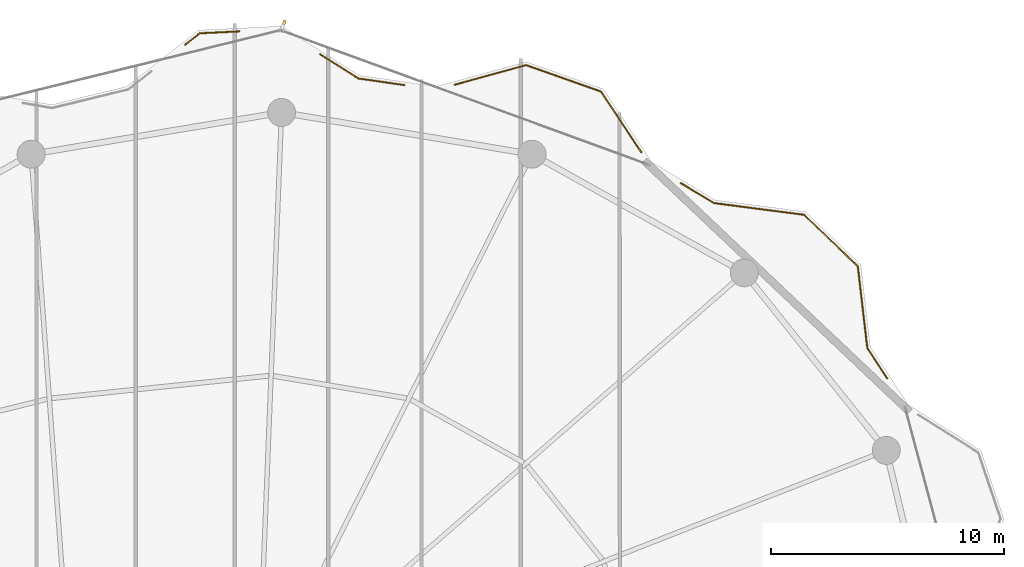
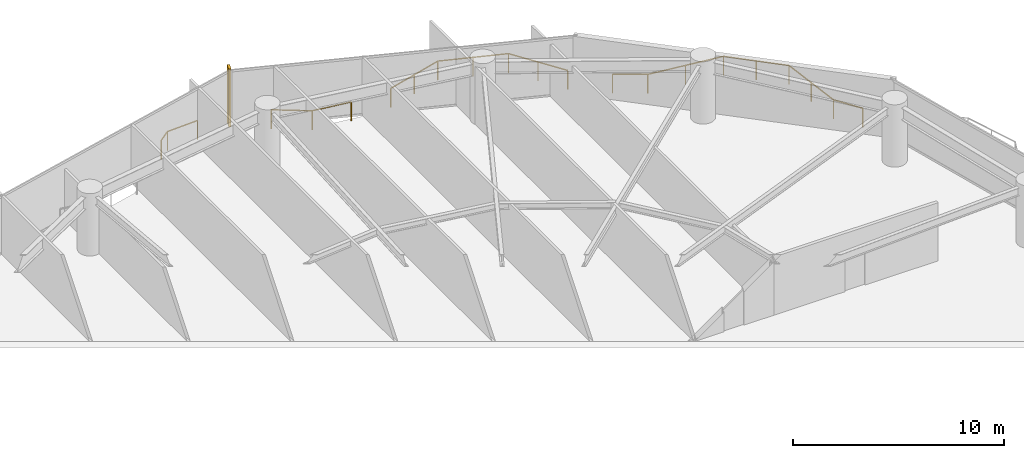
# One storey, part 28 of 28: 4 railings, 1 shading device.
"""IFC4 building model written with IfcOpenShell, lengths in metres."""

from ifc_helpers import new_model, si_unit, direction, frame, origin, origin_2d, place, context, subcontext, project, spatial, rectangle, extrude, material, type_object, element, save


model = new_model("IFC4")

# Units and contexts
model_context = context("Model", 3, precision=1e-05, world=origin(), true_north=direction((0.0, 1.0)))
body_context = subcontext(model_context, "Body", "Model", "MODEL_VIEW")
ifc_project = project(units=[si_unit("LENGTHUNIT", "METRE"), si_unit("AREAUNIT", "SQUARE_METRE"), si_unit("VOLUMEUNIT", "CUBIC_METRE"), si_unit("PLANEANGLEUNIT", "RADIAN"), si_unit("MASSUNIT", "GRAM", prefix="KILO")], contexts=[model_context])

# Site, building, storey
site_placement = place(None, origin())
site = spatial("IfcSite", under=ifc_project, at=site_placement, CompositionType="ELEMENT")
building_placement = place(site_placement, origin())
building = spatial("IfcBuilding", under=site, at=building_placement, Name="Kazevale Care Tower and Concert Hall", CompositionType="ELEMENT")
storey_placement = place(building_placement, frame((0.0, 0.0, 142.199951171875)))
storey = spatial("IfcBuildingStorey", under=building, at=storey_placement, Name="L37", CompositionType="ELEMENT", Elevation=142.199951171875)

# Railings
ifc_material_1 = material(Name="Anodised Bronze Aluminium and Laminated Glass", Category="aluminium")
railing_type = type_object("IfcRailingType", Name="Balcony and Terrace Balustrade 1120", PredefinedType="BALUSTRADE", material=ifc_material_1)
railing_1_placement = place(storey_placement, frame((40.875, 64.35400390625, 0.0)))
element("IfcRailing", 1, at=railing_1_placement, inside=storey, type_object=railing_type, Name="rail:L37:perim:6", PredefinedType="BALUSTRADE", context=body_context, shape_type="SweptSolid", body=[
    extrude(rectangle(XDim=0.048095703125, YDim=0.048095703125, at=origin_2d()), frame((0.0, 0.0, 1.09619140625), z_axis=(0.786296888073, 0.61784885191, 0.0), x_axis=(-0.61784885191, 0.786296888073, 0.0)), (0.0, 0.0, 1.0), 0.789794921875),
    extrude(rectangle(XDim=0.048095703125, YDim=0.048095703125, at=origin_2d()), frame((0.62109375, 0.488037109375, 1.09619140625), z_axis=(0.998846104171, 0.04802562007, 0.0), x_axis=(-0.04802562007, 0.998846104171, 0.0)), (0.0, 0.0, 1.0), 1.687744140625),
    extrude(rectangle(XDim=0.0419921875, YDim=0.0419921875, at=origin_2d()), origin(), (0.0, 0.0, 1.0), 1.072021484375),
    extrude(rectangle(XDim=0.0419921875, YDim=0.0419921875, at=origin_2d()), frame((0.62109375, 0.488037109375, 0.0)), (0.0, 0.0, 1.0), 1.072021484375),
    extrude(rectangle(XDim=0.0419921875, YDim=0.0419921875, at=origin_2d()), frame((2.306884765625, 0.569091796875, 0.0)), (0.0, 0.0, 1.0), 1.072021484375),
])
railing_2_placement = place(storey_placement, frame((46.64794921875, 63.943115234375, 0.0)))
element("IfcRailing", 2, at=railing_2_placement, inside=storey, type_object=railing_type, Name="rail:L37:perim:7", PredefinedType="BALUSTRADE", context=body_context, shape_type="SweptSolid", body=[
    extrude(rectangle(XDim=0.048095703125, YDim=0.048095703125, at=origin_2d()), frame((0.0, 0.0, 1.09619140625), z_axis=(0.845285408951, -0.534315054452, 0.0), x_axis=(0.534315054452, 0.845285408951, 0.0)), (0.0, 0.0, 1.0), 1.939208984375),
    extrude(rectangle(XDim=0.048095703125, YDim=0.048095703125, at=origin_2d()), frame((1.63916015625, -1.0361328125, 1.09619140625), z_axis=(0.989851165492, -0.142107952534, 0.0), x_axis=(0.142107952534, 0.989851165492, 0.0)), (0.0, 0.0, 1.0), 1.9912109375),
    extrude(rectangle(XDim=0.0419921875, YDim=0.0419921875, at=origin_2d()), origin(), (0.0, 0.0, 1.0), 1.072021484375),
    extrude(rectangle(XDim=0.0419921875, YDim=0.0419921875, at=origin_2d()), frame((1.63916015625, -1.0361328125, 0.0)), (0.0, 0.0, 1.0), 1.072021484375),
    extrude(rectangle(XDim=0.0419921875, YDim=0.0419921875, at=origin_2d()), frame((3.610107421875, -1.319091796875, 0.0)), (0.0, 0.0, 1.0), 1.072021484375),
])
railing_3_placement = place(storey_placement, frame((52.426025390625, 62.64111328125, 0.0)))
element("IfcRailing", 3, at=railing_3_placement, inside=storey, type_object=railing_type, Name="rail:L37:perim:8", PredefinedType="BALUSTRADE", context=body_context, shape_type="SweptSolid", body=[
    extrude(rectangle(XDim=0.048095703125, YDim=0.048095703125, at=origin_2d()), frame((0.0, 0.0, 1.09619140625), z_axis=(0.964305315259, 0.264792860484, 0.0), x_axis=(-0.264792860484, 0.964305315259, 0.0)), (0.0, 0.0, 1.0), 3.16796875),
    extrude(rectangle(XDim=0.048095703125, YDim=0.048095703125, at=origin_2d()), frame((3.054931640625, 0.8388671875, 1.09619140625), z_axis=(0.942606504608, -0.333905641567, 0.0), x_axis=(0.333905641567, 0.942606504608, 0.0)), (0.0, 0.0, 1.0), 3.399169921875),
    extrude(rectangle(XDim=0.048095703125, YDim=0.048095703125, at=origin_2d()), frame((6.259033203125, -0.296142578125, 1.09619140625), z_axis=(0.554087210484, -0.832458625505, 0.0), x_axis=(0.832458625505, 0.554087210484, 0.0)), (0.0, 0.0, 1.0), 3.125732421875),
    extrude(rectangle(XDim=0.0419921875, YDim=0.0419921875, at=origin_2d()), origin(), (0.0, 0.0, 1.0), 1.072021484375),
    extrude(rectangle(XDim=0.0419921875, YDim=0.0419921875, at=origin_2d()), frame((1.52734375, 0.41943359375, 0.0)), (0.0, 0.0, 1.0), 1.072021484375),
    extrude(rectangle(XDim=0.0419921875, YDim=0.0419921875, at=origin_2d()), frame((3.054931640625, 0.8388671875, 0.0)), (0.0, 0.0, 1.0), 1.072021484375),
    extrude(rectangle(XDim=0.0419921875, YDim=0.0419921875, at=origin_2d()), frame((4.656982421875, 0.271484375, 0.0)), (0.0, 0.0, 1.0), 1.072021484375),
    extrude(rectangle(XDim=0.0419921875, YDim=0.0419921875, at=origin_2d()), frame((6.259033203125, -0.296142578125, 0.0)), (0.0, 0.0, 1.0), 1.072021484375),
    extrude(rectangle(XDim=0.0419921875, YDim=0.0419921875, at=origin_2d()), frame((7.125, -1.59716796875, 0.0)), (0.0, 0.0, 1.0), 1.072021484375),
    extrude(rectangle(XDim=0.0419921875, YDim=0.0419921875, at=origin_2d()), frame((7.990966796875, -2.898193359375, 0.0)), (0.0, 0.0, 1.0), 1.072021484375),
])
railing_4_placement = place(storey_placement, frame((62.10400390625, 58.425048828125, 0.0)))
element("IfcRailing", 4, at=railing_4_placement, inside=storey, type_object=railing_type, Name="rail:L37:perim:9", PredefinedType="BALUSTRADE", context=body_context, shape_type="SweptSolid", body=[
    extrude(rectangle(XDim=0.048095703125, YDim=0.048095703125, at=origin_2d()), frame((0.0, 0.0, 1.09619140625), z_axis=(0.857286075964, -0.514840348029, 0.0), x_axis=(0.514840348029, 0.857286075964, 0.0)), (0.0, 0.0, 1.0), 1.666748046875),
    extrude(rectangle(XDim=0.048095703125, YDim=0.048095703125, at=origin_2d()), frame((1.428955078125, -0.858154296875, 1.09619140625), z_axis=(0.991624912909, -0.12915119859, 0.0), x_axis=(0.12915119859, 0.991624912909, 0.0)), (0.0, 0.0, 1.0), 3.886474609375),
    extrude(rectangle(XDim=0.048095703125, YDim=0.048095703125, at=origin_2d()), frame((5.282958984375, -1.360107421875, 1.09619140625), z_axis=(0.722483817146, -0.691387831801, 0.0), x_axis=(0.691387831801, 0.722483817146, 0.0)), (0.0, 0.0, 1.0), 3.1875),
    extrude(rectangle(XDim=0.048095703125, YDim=0.048095703125, at=origin_2d()), frame((7.5859375, -3.56396484375, 1.09619140625), z_axis=(0.115399198522, -0.993319195919, 0.0), x_axis=(0.993319195919, 0.115399198522, 0.0)), (0.0, 0.0, 1.0), 3.52685546875),
    extrude(rectangle(XDim=0.048095703125, YDim=0.048095703125, at=origin_2d()), frame((7.992919921875, -7.067138671875, 1.09619140625), z_axis=(0.547143637921, -0.837038732367, 0.0), x_axis=(0.837038732367, 0.547143637921, 0.0)), (0.0, 0.0, 1.0), 1.555419921875),
    extrude(rectangle(XDim=0.0419921875, YDim=0.0419921875, at=origin_2d()), origin(), (0.0, 0.0, 1.0), 1.072021484375),
    extrude(rectangle(XDim=0.0419921875, YDim=0.0419921875, at=origin_2d()), frame((1.428955078125, -0.858154296875, 0.0)), (0.0, 0.0, 1.0), 1.072021484375),
    extrude(rectangle(XDim=0.0419921875, YDim=0.0419921875, at=origin_2d()), frame((3.35595703125, -1.109130859375, 0.0)), (0.0, 0.0, 1.0), 1.072021484375),
    extrude(rectangle(XDim=0.0419921875, YDim=0.0419921875, at=origin_2d()), frame((5.282958984375, -1.360107421875, 0.0)), (0.0, 0.0, 1.0), 1.072021484375),
    extrude(rectangle(XDim=0.0419921875, YDim=0.0419921875, at=origin_2d()), frame((6.4345703125, -2.4619140625, 0.0)), (0.0, 0.0, 1.0), 1.072021484375),
    extrude(rectangle(XDim=0.0419921875, YDim=0.0419921875, at=origin_2d()), frame((7.5859375, -3.56396484375, 0.0)), (0.0, 0.0, 1.0), 1.072021484375),
    extrude(rectangle(XDim=0.0419921875, YDim=0.0419921875, at=origin_2d()), frame((7.78955078125, -5.3154296875, 0.0)), (0.0, 0.0, 1.0), 1.072021484375),
    extrude(rectangle(XDim=0.0419921875, YDim=0.0419921875, at=origin_2d()), frame((7.992919921875, -7.067138671875, 0.0)), (0.0, 0.0, 1.0), 1.072021484375),
    extrude(rectangle(XDim=0.0419921875, YDim=0.0419921875, at=origin_2d()), frame((8.843994140625, -8.369140625, 0.0)), (0.0, 0.0, 1.0), 1.072021484375),
])

# Shading device
ifc_material_2 = material(Name="Honed Ochre Limestone", Category="masonry")
shading_device_type = type_object("IfcShadingDeviceType", Name="Vertical Honed Limestone Fin FIN-01", PredefinedType="USERDEFINED", material=ifc_material_2)
shading_device_placement = place(storey_placement, frame((45.084228515625, 65.21240234375, 0.0), z_axis=(0.0, 0.0, 1.0), x_axis=(0.343167938899, 0.939274063153, 0.0)))
element("IfcShadingDevice", 5, at=shading_device_placement, inside=storey, type_object=shading_device_type, Name="cw:L37:f16:fin", ObjectType="FIN", PredefinedType="USERDEFINED", context=body_context, shape_type="SweptSolid", body=[
    extrude(rectangle(XDim=0.3798828125, YDim=0.1201171875, at=origin_2d()), origin(), (0.0, 0.0, 1.0), 3.360107421875),
])

save(model, "model.ifc")
